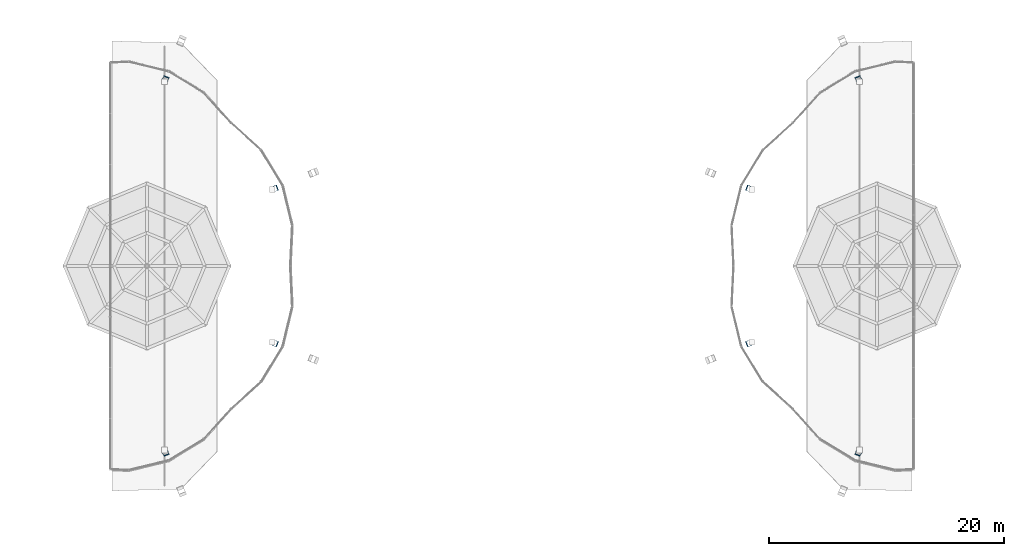
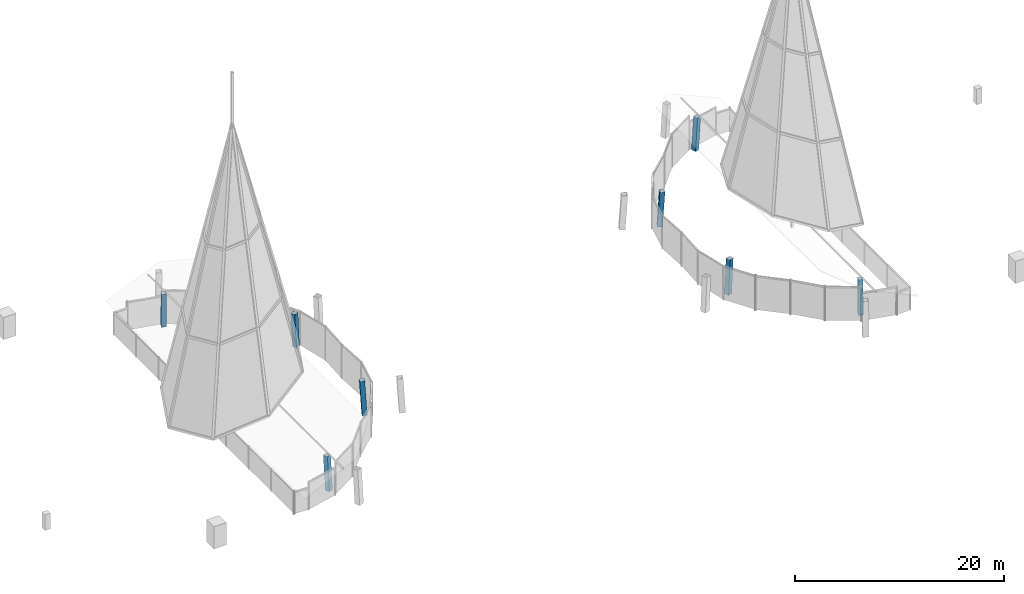
# One storey, part 1 of 16: 8 columns.
"""IFC4 building model written with IfcOpenShell, lengths in metres."""

from ifc_helpers import new_model, si_unit, direction, frame, origin, origin_2d, place, context, subcontext, project, spatial, hollow_rectangle, extrude, material, material_profile, profile_set, type_object, element, save


model = new_model("IFC4")

# Units and contexts
model_context = context("Model", 3, precision=1e-05, world=origin(), true_north=direction((0.0, 1.0)))
body_context = subcontext(model_context, "Body", "Model", "MODEL_VIEW")
ifc_project = project(units=[si_unit("LENGTHUNIT", "METRE"), si_unit("AREAUNIT", "SQUARE_METRE"), si_unit("VOLUMEUNIT", "CUBIC_METRE"), si_unit("PLANEANGLEUNIT", "RADIAN"), si_unit("MASSUNIT", "GRAM", prefix="KILO")], contexts=[model_context])

# Site, building, storey
site_placement = place(None, origin())
site = spatial("IfcSite", under=ifc_project, at=site_placement, CompositionType="ELEMENT")
building_placement = place(site_placement, origin())
building = spatial("IfcBuilding", under=site, at=building_placement, Name="Ogive Gate Towers", CompositionType="ELEMENT")
storey_placement = place(building_placement, frame((0.0, 0.0, 310.0)))
storey = spatial("IfcBuildingStorey", under=building, at=storey_placement, Name="L73", CompositionType="ELEMENT", Elevation=310.0)

# Columns
ifc_material = material(Name="Steel SM460", Category="steel")
ifc_material_profile = material_profile(ifc_material, hollow_rectangle(XDim=0.5, YDim=0.5, WallThickness=0.030029296875, at=origin_2d()), Name="BX 500x500x30")
ifc_profile_set = profile_set([ifc_material_profile], Name="Steel SM460")
column_type = type_object("IfcColumnType", Name="Perimeter post BX 500x500x30", PredefinedType="COLUMN", material=ifc_profile_set)
for number, where, z_axis, x_axis, name in (
    (1, (-20.13232421875, 6.572509765625, 0.0), (-0.056473784619, -0.023393671298, 0.998129975401), (0.382703871955, -0.923871065891, 0.0), "T1/L73/SCL001"),
    (2, (-29.427490234375, 15.86767578125, 0.0), (-0.023393671298, -0.056473784619, 0.998129975401), (0.923871065891, -0.382703871955, 0.0), "T1/L73/SCL002"),
    (3, (-29.427490234375, -15.86767578125, 0.0), (-0.023393671298, 0.056473784619, 0.998129975401), (-0.923871065891, -0.382703871955, 0.0), "T1/L73/SCL003"),
    (4, (-20.13232421875, -6.572509765625, 0.0), (-0.056473784619, 0.023393671298, 0.998129975401), (-0.382703871955, -0.923871065891, 0.0), "T1/L73/SCL004"),
    (5, (29.427490234375, 15.86767578125, 0.0), (0.023393671298, -0.056473784619, 0.998129975401), (0.923871065891, 0.382703871955, 0.0), "T2/L73/SCL001"),
    (6, (20.13232421875, 6.572509765625, 0.0), (0.056473784619, -0.023393671298, 0.998129975401), (0.382703871955, 0.923871065891, 0.0), "T2/L73/SCL002"),
    (7, (20.13232421875, -6.572509765625, 0.0), (0.056473784619, 0.023393671298, 0.998129975401), (-0.382703871955, 0.923871065891, 0.0), "T2/L73/SCL003"),
    (8, (29.427490234375, -15.86767578125, 0.0), (0.023393671298, 0.056473784619, 0.998129975401), (-0.923871065891, 0.382703871955, 0.0), "T2/L73/SCL004"),
):
    element("IfcColumn", number, at=place(storey_placement, frame(where, z_axis=z_axis, x_axis=x_axis)), inside=storey, type_object=column_type, Name=name, PredefinedType="COLUMN", context=body_context, shape_type="SweptSolid", body=[
        extrude(hollow_rectangle(XDim=0.5, YDim=0.5, WallThickness=0.030029296875, at=origin_2d()), origin(), (0.0, 0.0, 1.0), 4.007568359375),
    ])

save(model, "model.ifc")
